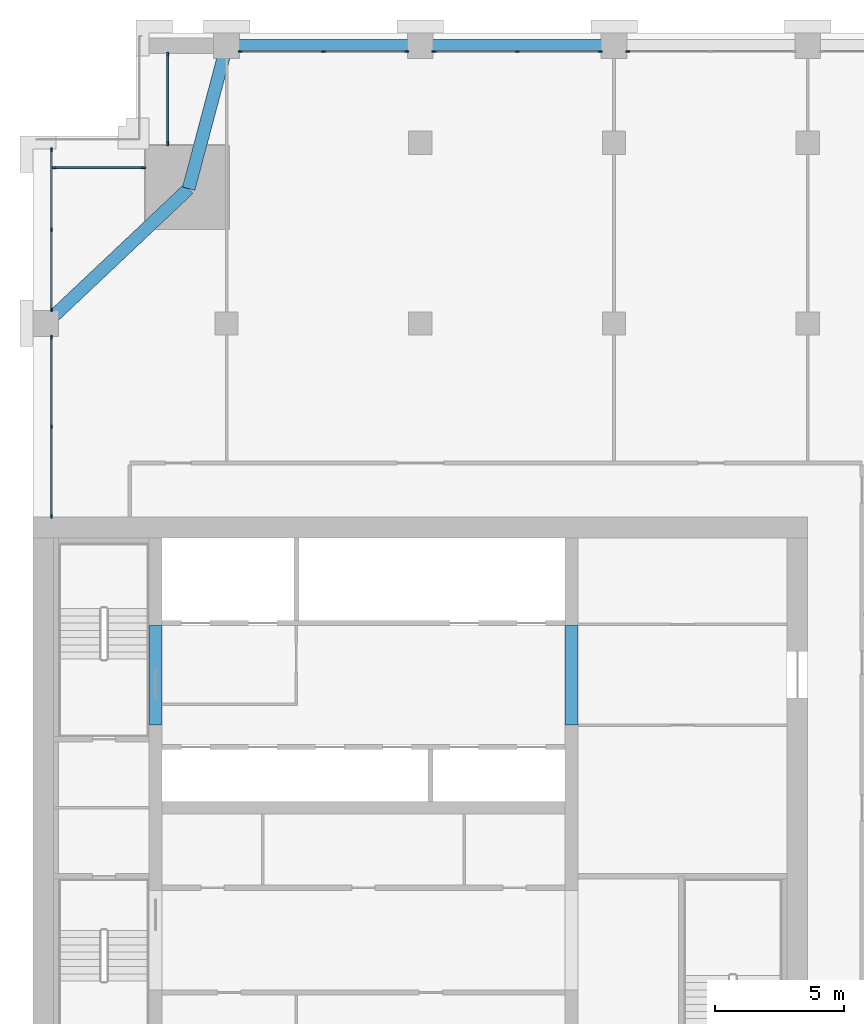
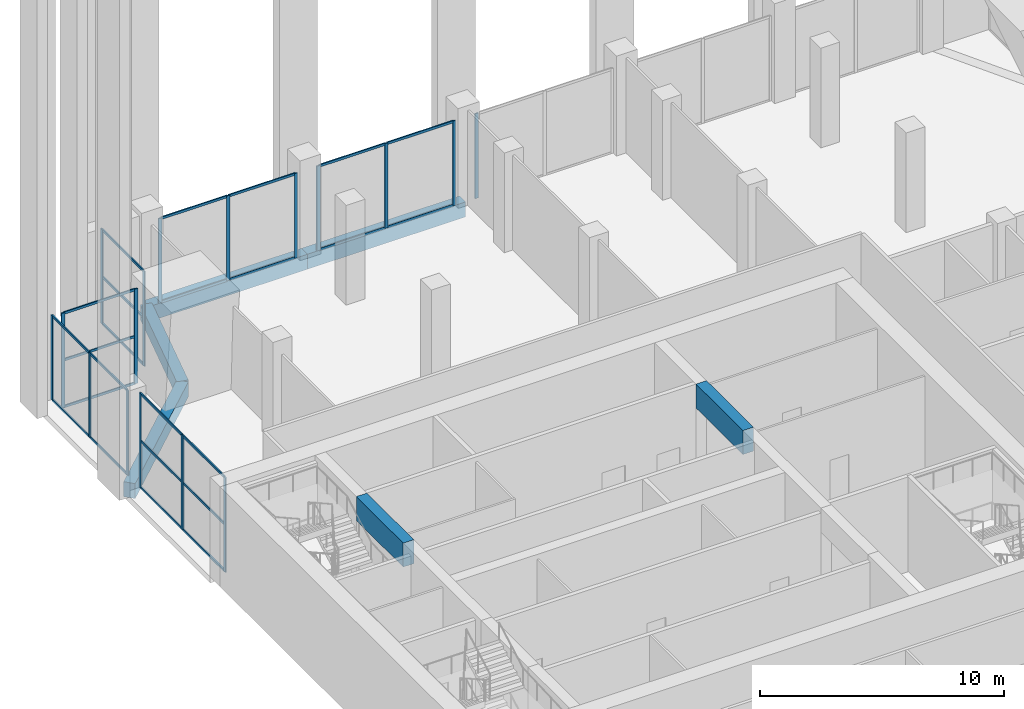
# One storey, part 5 of 19: 41 members, 6 beams, 7 elements without a shape of their own.
"""IFC4 building model written with IfcOpenShell, lengths in metres."""

from ifc_helpers import new_model, si_unit, direction, frame, origin, origin_2d, place, context, subcontext, project, spatial, rectangle, extrude, material, layer, layer_set, material_profile, profile_set, type_object, element, aggregate, save


model = new_model("IFC4")

# Units and contexts
model_context = context("Model", 3, precision=1e-05, world=origin(), true_north=direction((0.0, 1.0)))
body_context = subcontext(model_context, "Body", "Model", "MODEL_VIEW")
ifc_project = project(units=[si_unit("LENGTHUNIT", "METRE"), si_unit("AREAUNIT", "SQUARE_METRE"), si_unit("VOLUMEUNIT", "CUBIC_METRE"), si_unit("PLANEANGLEUNIT", "RADIAN"), si_unit("MASSUNIT", "GRAM", prefix="KILO")], contexts=[model_context])

# Site, building, storey
site_placement = place(None, origin())
site = spatial("IfcSite", under=ifc_project, at=site_placement, CompositionType="ELEMENT")
building_placement = place(site_placement, origin())
building = spatial("IfcBuilding", under=site, at=building_placement, Name="Tamorin Gate", CompositionType="ELEMENT")
storey_placement = place(building_placement, frame((0.0, 0.0, 174.199951171875)))
storey = spatial("IfcBuildingStorey", under=building, at=storey_placement, Name="L42", CompositionType="ELEMENT", Elevation=174.199951171875)

# Curtain wall, member
ifc_material_1 = material(Name="Aluminium mullions and transoms with clear glass", Category="aluminium")
ifc_layer = layer(ifc_material_1, 0.159912109375)
ifc_layer_set = layer_set([ifc_layer], Name="Curtain wall system CW2")
curtain_wall_type = type_object("IfcCurtainWallType", Name="Curtain wall system CW2", PredefinedType="NOTDEFINED", material=ifc_layer_set)
curtain_wall_1_placement = place(storey_placement, origin())
curtain_wall_1 = element("IfcCurtainWall", 1, at=curtain_wall_1_placement, inside=storey, type_object=curtain_wall_type, Name="Curtain wall", PredefinedType="NOTDEFINED")
ifc_material_2 = material(Name="Aluminium", Category="aluminium")
ifc_material_profile_1 = material_profile(ifc_material_2, rectangle(XDim=0.06005859375, YDim=0.159912109375, at=origin_2d()), Name="RECT 60x160")
ifc_profile_set_1 = profile_set([ifc_material_profile_1], Name="Aluminium")
member_type_1 = type_object("IfcMemberType", Name="Aluminium mullion 60x160", PredefinedType="MULLION", material=ifc_profile_set_1)
member_1_placement = place(storey_placement, frame((53.030029296875, 100.530029296875, 0.0), z_axis=(0.0, 0.0, 1.0), x_axis=(0.0, -1.0, 0.0)))
member_1 = element("IfcMember", 2, at=member_1_placement, type_object=member_type_1, Name="CW2 mullion 3", PredefinedType="MULLION", context=body_context, shape_type="SweptSolid", body=[
    extrude(rectangle(XDim=0.06005859375, YDim=0.159912109375, at=origin_2d()), origin(), (0.0, 0.0, 1.0), 4.25),
])
aggregate(curtain_wall_1, [member_1])

# Curtain wall, members
curtain_wall_2_placement = place(storey_placement, origin())
curtain_wall_2 = element("IfcCurtainWall", 3, at=curtain_wall_2_placement, inside=storey, type_object=curtain_wall_type, Name="Curtain wall", PredefinedType="NOTDEFINED")
member_2_placement = place(storey_placement, frame((51.969970703125, 100.530029296875, 0.0), z_axis=(0.0, 0.0, 1.0), x_axis=(0.0, -1.0, 0.0)))
member_2 = element("IfcMember", 4, at=member_2_placement, type_object=member_type_1, Name="CW2 mullion 1", PredefinedType="MULLION", context=body_context, shape_type="SweptSolid", body=[
    extrude(rectangle(XDim=0.06005859375, YDim=0.159912109375, at=origin_2d()), origin(), (0.0, 0.0, 1.0), 4.25),
])
member_3_placement = place(storey_placement, frame((48.75, 100.530029296875, 0.0), z_axis=(0.0, 0.0, 1.0), x_axis=(0.0, -1.0, 0.0)))
member_3 = element("IfcMember", 5, at=member_3_placement, type_object=member_type_1, Name="CW2 mullion 2", PredefinedType="MULLION", context=body_context, shape_type="SweptSolid", body=[
    extrude(rectangle(XDim=0.06005859375, YDim=0.159912109375, at=origin_2d()), origin(), (0.0, 0.0, 1.0), 4.25),
])
member_4_placement = place(storey_placement, frame((45.530029296875, 100.530029296875, 0.0), z_axis=(0.0, 0.0, 1.0), x_axis=(0.0, -1.0, 0.0)))
member_4 = element("IfcMember", 6, at=member_4_placement, type_object=member_type_1, Name="CW2 mullion 3", PredefinedType="MULLION", context=body_context, shape_type="SweptSolid", body=[
    extrude(rectangle(XDim=0.06005859375, YDim=0.159912109375, at=origin_2d()), origin(), (0.0, 0.0, 1.0), 4.25),
])

curtain_wall_3_placement = place(storey_placement, origin())
curtain_wall_3 = element("IfcCurtainWall", 7, at=curtain_wall_3_placement, inside=storey, type_object=curtain_wall_type, Name="Curtain wall", PredefinedType="NOTDEFINED")
member_5_placement = place(storey_placement, frame((44.469970703125, 100.530029296875, 0.0), z_axis=(0.0, 0.0, 1.0), x_axis=(0.0, -1.0, 0.0)))
member_5 = element("IfcMember", 8, at=member_5_placement, type_object=member_type_1, Name="CW2 mullion 1", PredefinedType="MULLION", context=body_context, shape_type="SweptSolid", body=[
    extrude(rectangle(XDim=0.06005859375, YDim=0.159912109375, at=origin_2d()), origin(), (0.0, 0.0, 1.0), 4.25),
])
member_6_placement = place(storey_placement, frame((41.25, 100.530029296875, 0.0), z_axis=(0.0, 0.0, 1.0), x_axis=(0.0, -1.0, 0.0)))
member_6 = element("IfcMember", 9, at=member_6_placement, type_object=member_type_1, Name="CW2 mullion 2", PredefinedType="MULLION", context=body_context, shape_type="SweptSolid", body=[
    extrude(rectangle(XDim=0.06005859375, YDim=0.159912109375, at=origin_2d()), origin(), (0.0, 0.0, 1.0), 4.25),
])
member_7_placement = place(storey_placement, frame((38.030029296875, 100.530029296875, 0.0), z_axis=(0.0, 0.0, 1.0), x_axis=(0.0, -1.0, 0.0)))
member_7 = element("IfcMember", 10, at=member_7_placement, type_object=member_type_1, Name="CW2 mullion 3", PredefinedType="MULLION", context=body_context, shape_type="SweptSolid", body=[
    extrude(rectangle(XDim=0.06005859375, YDim=0.159912109375, at=origin_2d()), origin(), (0.0, 0.0, 1.0), 4.25),
])

curtain_wall_4_placement = place(storey_placement, origin())
curtain_wall_4 = element("IfcCurtainWall", 11, at=curtain_wall_4_placement, inside=storey, type_object=curtain_wall_type, Name="Curtain wall", PredefinedType="NOTDEFINED")
member_8_placement = place(storey_placement, frame((35.219970703125, 100.419921875, 0.0), z_axis=(0.0, 0.0, 1.0), x_axis=(1.0, 0.0, 0.0)))
member_8 = element("IfcMember", 12, at=member_8_placement, type_object=member_type_1, Name="CW2 mullion 1", PredefinedType="MULLION", context=body_context, shape_type="SweptSolid", body=[
    extrude(rectangle(XDim=0.06005859375, YDim=0.159912109375, at=origin_2d()), origin(), (0.0, 0.0, 1.0), 4.75),
])
member_9_placement = place(storey_placement, frame((35.219970703125, 96.967529296875, 0.0), z_axis=(0.0, 0.0, 1.0), x_axis=(1.0, 0.0, 0.0)))
member_9 = element("IfcMember", 13, at=member_9_placement, type_object=member_type_1, Name="CW2 mullion 2", PredefinedType="MULLION", context=body_context, shape_type="SweptSolid", body=[
    extrude(rectangle(XDim=0.06005859375, YDim=0.159912109375, at=origin_2d()), origin(), (0.0, 0.0, 1.0), 4.75),
])

curtain_wall_5_placement = place(storey_placement, origin())
curtain_wall_5 = element("IfcCurtainWall", 14, at=curtain_wall_5_placement, inside=storey, type_object=curtain_wall_type, Name="Curtain wall", PredefinedType="NOTDEFINED")
member_10_placement = place(storey_placement, frame((34.282470703125, 96.030029296875, 0.0), z_axis=(0.0, 0.0, 1.0), x_axis=(0.0, -1.0, 0.0)))
member_10 = element("IfcMember", 15, at=member_10_placement, type_object=member_type_1, Name="CW2 mullion 1", PredefinedType="MULLION", context=body_context, shape_type="SweptSolid", body=[
    extrude(rectangle(XDim=0.06005859375, YDim=0.159912109375, at=origin_2d()), origin(), (0.0, 0.0, 1.0), 4.75),
])
member_11_placement = place(storey_placement, frame((30.830078125, 96.030029296875, 0.0), z_axis=(0.0, 0.0, 1.0), x_axis=(0.0, -1.0, 0.0)))
member_11 = element("IfcMember", 16, at=member_11_placement, type_object=member_type_1, Name="CW2 mullion 2", PredefinedType="MULLION", context=body_context, shape_type="SweptSolid", body=[
    extrude(rectangle(XDim=0.06005859375, YDim=0.159912109375, at=origin_2d()), origin(), (0.0, 0.0, 1.0), 4.75),
])

curtain_wall_6_placement = place(storey_placement, origin())
curtain_wall_6 = element("IfcCurtainWall", 17, at=curtain_wall_6_placement, inside=storey, type_object=curtain_wall_type, Name="Curtain wall", PredefinedType="NOTDEFINED")
member_12_placement = place(storey_placement, frame((30.719970703125, 96.719970703125, 0.0), z_axis=(0.0, 0.0, 1.0), x_axis=(1.0, 0.0, 0.0)))
member_12 = element("IfcMember", 18, at=member_12_placement, type_object=member_type_1, Name="CW2 mullion 1", PredefinedType="MULLION", context=body_context, shape_type="SweptSolid", body=[
    extrude(rectangle(XDim=0.06005859375, YDim=0.159912109375, at=origin_2d()), origin(), (0.0, 0.0, 1.0), 4.25),
])
member_13_placement = place(storey_placement, frame((30.719970703125, 93.625, 0.0), z_axis=(0.0, 0.0, 1.0), x_axis=(1.0, 0.0, 0.0)))
member_13 = element("IfcMember", 19, at=member_13_placement, type_object=member_type_1, Name="CW2 mullion 2", PredefinedType="MULLION", context=body_context, shape_type="SweptSolid", body=[
    extrude(rectangle(XDim=0.06005859375, YDim=0.159912109375, at=origin_2d()), origin(), (0.0, 0.0, 1.0), 4.25),
])
member_14_placement = place(storey_placement, frame((30.719970703125, 90.530029296875, 0.0), z_axis=(0.0, 0.0, 1.0), x_axis=(1.0, 0.0, 0.0)))
member_14 = element("IfcMember", 20, at=member_14_placement, type_object=member_type_1, Name="CW2 mullion 3", PredefinedType="MULLION", context=body_context, shape_type="SweptSolid", body=[
    extrude(rectangle(XDim=0.06005859375, YDim=0.159912109375, at=origin_2d()), origin(), (0.0, 0.0, 1.0), 4.25),
])

curtain_wall_7_placement = place(storey_placement, origin())
curtain_wall_7 = element("IfcCurtainWall", 21, at=curtain_wall_7_placement, inside=storey, type_object=curtain_wall_type, Name="Curtain wall", PredefinedType="NOTDEFINED")
member_15_placement = place(storey_placement, frame((30.719970703125, 89.469970703125, 0.0), z_axis=(0.0, 0.0, 1.0), x_axis=(1.0, 0.0, 0.0)))
member_15 = element("IfcMember", 22, at=member_15_placement, type_object=member_type_1, Name="CW2 mullion 1", PredefinedType="MULLION", context=body_context, shape_type="SweptSolid", body=[
    extrude(rectangle(XDim=0.06005859375, YDim=0.159912109375, at=origin_2d()), origin(), (0.0, 0.0, 1.0), 4.75),
])
member_16_placement = place(storey_placement, frame((30.719970703125, 86.0, 0.0), z_axis=(0.0, 0.0, 1.0), x_axis=(1.0, 0.0, 0.0)))
member_16 = element("IfcMember", 23, at=member_16_placement, type_object=member_type_1, Name="CW2 mullion 2", PredefinedType="MULLION", context=body_context, shape_type="SweptSolid", body=[
    extrude(rectangle(XDim=0.06005859375, YDim=0.159912109375, at=origin_2d()), origin(), (0.0, 0.0, 1.0), 4.75),
])
member_17_placement = place(storey_placement, frame((30.719970703125, 82.530029296875, 0.0), z_axis=(0.0, 0.0, 1.0), x_axis=(1.0, 0.0, 0.0)))
member_17 = element("IfcMember", 24, at=member_17_placement, type_object=member_type_1, Name="CW2 mullion 3", PredefinedType="MULLION", context=body_context, shape_type="SweptSolid", body=[
    extrude(rectangle(XDim=0.06005859375, YDim=0.159912109375, at=origin_2d()), origin(), (0.0, 0.0, 1.0), 4.75),
])

# Member
ifc_material_profile_2 = material_profile(ifc_material_2, rectangle(XDim=0.06005859375, YDim=0.1201171875, at=origin_2d()), Name="RECT 60x120")
ifc_profile_set_2 = profile_set([ifc_material_profile_2], Name="Aluminium")
member_type_2 = type_object("IfcMemberType", Name="Aluminium transom 60x120", PredefinedType="USERDEFINED", material=ifc_profile_set_2)
member_18_placement = place(storey_placement, frame((51.93994140625, 100.530029296875, 0.030029296875), z_axis=(-1.0, 0.0, 0.0), x_axis=(0.0, -1.0, 0.0)))
member_18 = element("IfcMember", 25, at=member_18_placement, type_object=member_type_2, Name="CW2 transom 1.1", ObjectType="TRANSOM", PredefinedType="USERDEFINED", context=body_context, shape_type="SweptSolid", body=[
    extrude(rectangle(XDim=0.06005859375, YDim=0.1201171875, at=origin_2d()), origin(), (0.0, 0.0, 1.0), 3.159912109375),
])

member_19_placement = place(storey_placement, frame((51.93994140625, 100.530029296875, 4.219970703125), z_axis=(-1.0, 0.0, 0.0), x_axis=(0.0, -1.0, 0.0)))
member_19 = element("IfcMember", 26, at=member_19_placement, type_object=member_type_2, Name="CW2 transom 1.2", ObjectType="TRANSOM", PredefinedType="USERDEFINED", context=body_context, shape_type="SweptSolid", body=[
    extrude(rectangle(XDim=0.06005859375, YDim=0.1201171875, at=origin_2d()), origin(), (0.0, 0.0, 1.0), 3.159912109375),
])

member_20_placement = place(storey_placement, frame((48.719970703125, 100.530029296875, 0.030029296875), z_axis=(-1.0, 0.0, 0.0), x_axis=(0.0, -1.0, 0.0)))
member_20 = element("IfcMember", 27, at=member_20_placement, type_object=member_type_2, Name="CW2 transom 2.1", ObjectType="TRANSOM", PredefinedType="USERDEFINED", context=body_context, shape_type="SweptSolid", body=[
    extrude(rectangle(XDim=0.06005859375, YDim=0.1201171875, at=origin_2d()), origin(), (0.0, 0.0, 1.0), 3.159912109375),
])

member_21_placement = place(storey_placement, frame((48.719970703125, 100.530029296875, 4.219970703125), z_axis=(-1.0, 0.0, 0.0), x_axis=(0.0, -1.0, 0.0)))
member_21 = element("IfcMember", 28, at=member_21_placement, type_object=member_type_2, Name="CW2 transom 2.2", ObjectType="TRANSOM", PredefinedType="USERDEFINED", context=body_context, shape_type="SweptSolid", body=[
    extrude(rectangle(XDim=0.06005859375, YDim=0.1201171875, at=origin_2d()), origin(), (0.0, 0.0, 1.0), 3.159912109375),
])

aggregate(curtain_wall_2, [member_2, member_3, member_4, member_18, member_19, member_20, member_21])

member_22_placement = place(storey_placement, frame((44.43994140625, 100.530029296875, 0.030029296875), z_axis=(-1.0, 0.0, 0.0), x_axis=(0.0, -1.0, 0.0)))
member_22 = element("IfcMember", 29, at=member_22_placement, type_object=member_type_2, Name="CW2 transom 1.1", ObjectType="TRANSOM", PredefinedType="USERDEFINED", context=body_context, shape_type="SweptSolid", body=[
    extrude(rectangle(XDim=0.06005859375, YDim=0.1201171875, at=origin_2d()), origin(), (0.0, 0.0, 1.0), 3.159912109375),
])

member_23_placement = place(storey_placement, frame((44.43994140625, 100.530029296875, 4.219970703125), z_axis=(-1.0, 0.0, 0.0), x_axis=(0.0, -1.0, 0.0)))
member_23 = element("IfcMember", 30, at=member_23_placement, type_object=member_type_2, Name="CW2 transom 1.2", ObjectType="TRANSOM", PredefinedType="USERDEFINED", context=body_context, shape_type="SweptSolid", body=[
    extrude(rectangle(XDim=0.06005859375, YDim=0.1201171875, at=origin_2d()), origin(), (0.0, 0.0, 1.0), 3.159912109375),
])

member_24_placement = place(storey_placement, frame((41.219970703125, 100.530029296875, 0.030029296875), z_axis=(-1.0, 0.0, 0.0), x_axis=(0.0, -1.0, 0.0)))
member_24 = element("IfcMember", 31, at=member_24_placement, type_object=member_type_2, Name="CW2 transom 2.1", ObjectType="TRANSOM", PredefinedType="USERDEFINED", context=body_context, shape_type="SweptSolid", body=[
    extrude(rectangle(XDim=0.06005859375, YDim=0.1201171875, at=origin_2d()), origin(), (0.0, 0.0, 1.0), 3.159912109375),
])

member_25_placement = place(storey_placement, frame((41.219970703125, 100.530029296875, 4.219970703125), z_axis=(-1.0, 0.0, 0.0), x_axis=(0.0, -1.0, 0.0)))
member_25 = element("IfcMember", 32, at=member_25_placement, type_object=member_type_2, Name="CW2 transom 2.2", ObjectType="TRANSOM", PredefinedType="USERDEFINED", context=body_context, shape_type="SweptSolid", body=[
    extrude(rectangle(XDim=0.06005859375, YDim=0.1201171875, at=origin_2d()), origin(), (0.0, 0.0, 1.0), 3.159912109375),
])

aggregate(curtain_wall_3, [member_5, member_6, member_7, member_22, member_23, member_24, member_25])

member_26_placement = place(storey_placement, frame((35.219970703125, 100.389892578125, 0.030029296875), z_axis=(0.0, -1.0, 0.0), x_axis=(1.0, 0.0, 0.0)))
member_26 = element("IfcMember", 33, at=member_26_placement, type_object=member_type_2, Name="CW2 transom 1.1", ObjectType="TRANSOM", PredefinedType="USERDEFINED", context=body_context, shape_type="SweptSolid", body=[
    extrude(rectangle(XDim=0.06005859375, YDim=0.1201171875, at=origin_2d()), origin(), (0.0, 0.0, 1.0), 3.392333984375),
])

member_27_placement = place(storey_placement, frame((35.219970703125, 100.389892578125, 2.375), z_axis=(0.0, -1.0, 0.0), x_axis=(1.0, 0.0, 0.0)))
member_27 = element("IfcMember", 34, at=member_27_placement, type_object=member_type_2, Name="CW2 transom 1.2", ObjectType="TRANSOM", PredefinedType="USERDEFINED", context=body_context, shape_type="SweptSolid", body=[
    extrude(rectangle(XDim=0.06005859375, YDim=0.1201171875, at=origin_2d()), origin(), (0.0, 0.0, 1.0), 3.392333984375),
])

member_28_placement = place(storey_placement, frame((35.219970703125, 100.389892578125, 4.719970703125), z_axis=(0.0, -1.0, 0.0), x_axis=(1.0, 0.0, 0.0)))
member_28 = element("IfcMember", 35, at=member_28_placement, type_object=member_type_2, Name="CW2 transom 1.3", ObjectType="TRANSOM", PredefinedType="USERDEFINED", context=body_context, shape_type="SweptSolid", body=[
    extrude(rectangle(XDim=0.06005859375, YDim=0.1201171875, at=origin_2d()), origin(), (0.0, 0.0, 1.0), 3.392333984375),
])

aggregate(curtain_wall_4, [member_8, member_9, member_26, member_27, member_28])

member_29_placement = place(storey_placement, frame((34.25244140625, 96.030029296875, 0.030029296875), z_axis=(-1.0, 0.0, 0.0), x_axis=(0.0, -1.0, 0.0)))
member_29 = element("IfcMember", 36, at=member_29_placement, type_object=member_type_2, Name="CW2 transom 1.1", ObjectType="TRANSOM", PredefinedType="USERDEFINED", context=body_context, shape_type="SweptSolid", body=[
    extrude(rectangle(XDim=0.06005859375, YDim=0.1201171875, at=origin_2d()), origin(), (0.0, 0.0, 1.0), 3.392333984375),
])

member_30_placement = place(storey_placement, frame((34.25244140625, 96.030029296875, 2.375), z_axis=(-1.0, 0.0, 0.0), x_axis=(0.0, -1.0, 0.0)))
member_30 = element("IfcMember", 37, at=member_30_placement, type_object=member_type_2, Name="CW2 transom 1.2", ObjectType="TRANSOM", PredefinedType="USERDEFINED", context=body_context, shape_type="SweptSolid", body=[
    extrude(rectangle(XDim=0.06005859375, YDim=0.1201171875, at=origin_2d()), origin(), (0.0, 0.0, 1.0), 3.392333984375),
])

member_31_placement = place(storey_placement, frame((34.25244140625, 96.030029296875, 4.719970703125), z_axis=(-1.0, 0.0, 0.0), x_axis=(0.0, -1.0, 0.0)))
member_31 = element("IfcMember", 38, at=member_31_placement, type_object=member_type_2, Name="CW2 transom 1.3", ObjectType="TRANSOM", PredefinedType="USERDEFINED", context=body_context, shape_type="SweptSolid", body=[
    extrude(rectangle(XDim=0.06005859375, YDim=0.1201171875, at=origin_2d()), origin(), (0.0, 0.0, 1.0), 3.392333984375),
])

aggregate(curtain_wall_5, [member_10, member_11, member_29, member_30, member_31])

member_32_placement = place(storey_placement, frame((30.719970703125, 96.68994140625, 0.030029296875), z_axis=(0.0, -1.0, 0.0), x_axis=(1.0, 0.0, 0.0)))
member_32 = element("IfcMember", 39, at=member_32_placement, type_object=member_type_2, Name="CW2 transom 1.1", ObjectType="TRANSOM", PredefinedType="USERDEFINED", context=body_context, shape_type="SweptSolid", body=[
    extrude(rectangle(XDim=0.06005859375, YDim=0.1201171875, at=origin_2d()), origin(), (0.0, 0.0, 1.0), 3.034912109375),
])

member_33_placement = place(storey_placement, frame((30.719970703125, 96.68994140625, 4.219970703125), z_axis=(0.0, -1.0, 0.0), x_axis=(1.0, 0.0, 0.0)))
member_33 = element("IfcMember", 40, at=member_33_placement, type_object=member_type_2, Name="CW2 transom 1.2", ObjectType="TRANSOM", PredefinedType="USERDEFINED", context=body_context, shape_type="SweptSolid", body=[
    extrude(rectangle(XDim=0.06005859375, YDim=0.1201171875, at=origin_2d()), origin(), (0.0, 0.0, 1.0), 3.034912109375),
])

member_34_placement = place(storey_placement, frame((30.719970703125, 93.594970703125, 0.030029296875), z_axis=(0.0, -1.0, 0.0), x_axis=(1.0, 0.0, 0.0)))
member_34 = element("IfcMember", 41, at=member_34_placement, type_object=member_type_2, Name="CW2 transom 2.1", ObjectType="TRANSOM", PredefinedType="USERDEFINED", context=body_context, shape_type="SweptSolid", body=[
    extrude(rectangle(XDim=0.06005859375, YDim=0.1201171875, at=origin_2d()), origin(), (0.0, 0.0, 1.0), 3.034912109375),
])

member_35_placement = place(storey_placement, frame((30.719970703125, 93.594970703125, 4.219970703125), z_axis=(0.0, -1.0, 0.0), x_axis=(1.0, 0.0, 0.0)))
member_35 = element("IfcMember", 42, at=member_35_placement, type_object=member_type_2, Name="CW2 transom 2.2", ObjectType="TRANSOM", PredefinedType="USERDEFINED", context=body_context, shape_type="SweptSolid", body=[
    extrude(rectangle(XDim=0.06005859375, YDim=0.1201171875, at=origin_2d()), origin(), (0.0, 0.0, 1.0), 3.034912109375),
])

aggregate(curtain_wall_6, [member_12, member_13, member_14, member_32, member_33, member_34, member_35])

member_36_placement = place(storey_placement, frame((30.719970703125, 89.43994140625, 0.030029296875), z_axis=(0.0, -1.0, 0.0), x_axis=(1.0, 0.0, 0.0)))
member_36 = element("IfcMember", 43, at=member_36_placement, type_object=member_type_2, Name="CW2 transom 1.1", ObjectType="TRANSOM", PredefinedType="USERDEFINED", context=body_context, shape_type="SweptSolid", body=[
    extrude(rectangle(XDim=0.06005859375, YDim=0.1201171875, at=origin_2d()), origin(), (0.0, 0.0, 1.0), 3.409912109375),
])

member_37_placement = place(storey_placement, frame((30.719970703125, 89.43994140625, 2.375), z_axis=(0.0, -1.0, 0.0), x_axis=(1.0, 0.0, 0.0)))
member_37 = element("IfcMember", 44, at=member_37_placement, type_object=member_type_2, Name="CW2 transom 1.2", ObjectType="TRANSOM", PredefinedType="USERDEFINED", context=body_context, shape_type="SweptSolid", body=[
    extrude(rectangle(XDim=0.06005859375, YDim=0.1201171875, at=origin_2d()), origin(), (0.0, 0.0, 1.0), 3.409912109375),
])

member_38_placement = place(storey_placement, frame((30.719970703125, 89.43994140625, 4.719970703125), z_axis=(0.0, -1.0, 0.0), x_axis=(1.0, 0.0, 0.0)))
member_38 = element("IfcMember", 45, at=member_38_placement, type_object=member_type_2, Name="CW2 transom 1.3", ObjectType="TRANSOM", PredefinedType="USERDEFINED", context=body_context, shape_type="SweptSolid", body=[
    extrude(rectangle(XDim=0.06005859375, YDim=0.1201171875, at=origin_2d()), origin(), (0.0, 0.0, 1.0), 3.409912109375),
])

member_39_placement = place(storey_placement, frame((30.719970703125, 85.969970703125, 0.030029296875), z_axis=(0.0, -1.0, 0.0), x_axis=(1.0, 0.0, 0.0)))
member_39 = element("IfcMember", 46, at=member_39_placement, type_object=member_type_2, Name="CW2 transom 2.1", ObjectType="TRANSOM", PredefinedType="USERDEFINED", context=body_context, shape_type="SweptSolid", body=[
    extrude(rectangle(XDim=0.06005859375, YDim=0.1201171875, at=origin_2d()), origin(), (0.0, 0.0, 1.0), 3.409912109375),
])

member_40_placement = place(storey_placement, frame((30.719970703125, 85.969970703125, 2.375), z_axis=(0.0, -1.0, 0.0), x_axis=(1.0, 0.0, 0.0)))
member_40 = element("IfcMember", 47, at=member_40_placement, type_object=member_type_2, Name="CW2 transom 2.2", ObjectType="TRANSOM", PredefinedType="USERDEFINED", context=body_context, shape_type="SweptSolid", body=[
    extrude(rectangle(XDim=0.06005859375, YDim=0.1201171875, at=origin_2d()), origin(), (0.0, 0.0, 1.0), 3.409912109375),
])

member_41_placement = place(storey_placement, frame((30.719970703125, 85.969970703125, 4.719970703125), z_axis=(0.0, -1.0, 0.0), x_axis=(1.0, 0.0, 0.0)))
member_41 = element("IfcMember", 48, at=member_41_placement, type_object=member_type_2, Name="CW2 transom 2.3", ObjectType="TRANSOM", PredefinedType="USERDEFINED", context=body_context, shape_type="SweptSolid", body=[
    extrude(rectangle(XDim=0.06005859375, YDim=0.1201171875, at=origin_2d()), origin(), (0.0, 0.0, 1.0), 3.409912109375),
])

aggregate(curtain_wall_7, [member_15, member_16, member_17, member_36, member_37, member_38, member_39, member_40, member_41])

# Beams
ifc_material_3 = material(Name="Concrete C60/75", Category="concrete")
ifc_material_profile_3 = material_profile(ifc_material_3, rectangle(XDim=0.5, YDim=1.199951171875, at=origin_2d()), Name="RC 500x1200")
ifc_profile_set_3 = profile_set([ifc_material_profile_3], Name="Concrete C60/75")
beam_type_1 = type_object("IfcBeamType", Name="RC coupling beam 500x1200 C60/75", PredefinedType="BEAM", material=ifc_profile_set_3)
for number, where, z_axis, x_axis, name in (
    (49, (34.75, 74.449951171875, 4.400146484375), (0.0, 1.0, 0.0), (-1.0, 0.0, 0.0), "Coupling beam L42"),
    (50, (50.85009765625, 74.449951171875, 4.400146484375), (0.0, 1.0, 0.0), (-1.0, 0.0, 0.0), "Coupling beam L42"),
):
    element("IfcBeam", number, at=place(storey_placement, frame(where, z_axis=z_axis, x_axis=x_axis)), inside=storey, type_object=beam_type_1, Name=name, PredefinedType="BEAM", context=body_context, shape_type="SweptSolid", body=[
        extrude(rectangle(XDim=0.5, YDim=1.199951171875, at=origin_2d()), origin(), (0.0, 0.0, 1.0), 3.85009765625),
    ])
ifc_material_4 = material(Name="Concrete C50/60", Category="concrete")
ifc_material_profile_4 = material_profile(ifc_material_4, rectangle(XDim=0.5, YDim=0.75, at=origin_2d()), Name="RC 500x750")
ifc_profile_set_4 = profile_set([ifc_material_profile_4], Name="Concrete C50/60")
beam_type_2 = type_object("IfcBeamType", Name="RC spandrel 500x750 C50/60", PredefinedType="BEAM", material=ifc_profile_set_4)
for number, where, z_axis, x_axis, name in (
    (51, (52.5, 100.75, -0.375), (-1.0, 0.0, 0.0), (0.0, -1.0, 0.0), "Spandrel beam L42"),
    (52, (45.0, 100.75, -0.375), (-1.0, 0.0, 0.0), (0.0, -1.0, 0.0), "Spandrel beam L42"),
):
    element("IfcBeam", number, at=place(storey_placement, frame(where, z_axis=z_axis, x_axis=x_axis)), inside=storey, type_object=beam_type_2, Name=name, PredefinedType="BEAM", context=body_context, shape_type="SweptSolid", body=[
        extrude(rectangle(XDim=0.5, YDim=0.75, at=origin_2d()), origin(), (0.0, 0.0, 1.0), 7.5),
    ])
beam_1_placement = place(storey_placement, frame((36.03125, 95.21875, -0.375), z_axis=(0.256642914, 0.966506293148, 0.0), x_axis=(-0.966506293148, 0.256642914, 0.0)))
element("IfcBeam", 53, at=beam_1_placement, inside=storey, type_object=beam_type_2, Name="Corner tie beam L42", PredefinedType="BEAM", context=body_context, shape_type="SweptSolid", body=[
    extrude(rectangle(XDim=0.5, YDim=0.75, at=origin_2d()), origin(), (0.0, 0.0, 1.0), 5.722900390625),
])
beam_2_placement = place(storey_placement, frame((36.03125, 95.21875, -0.375), z_axis=(-0.72735494962, -0.686261449641, 0.0), x_axis=(0.686261449641, -0.72735494962, 0.0)))
element("IfcBeam", 54, at=beam_2_placement, inside=storey, type_object=beam_type_2, Name="Corner tie beam L42", PredefinedType="BEAM", context=body_context, shape_type="SweptSolid", body=[
    extrude(rectangle(XDim=0.5, YDim=0.75, at=origin_2d()), origin(), (0.0, 0.0, 1.0), 7.6044921875),
])

save(model, "model.ifc")
